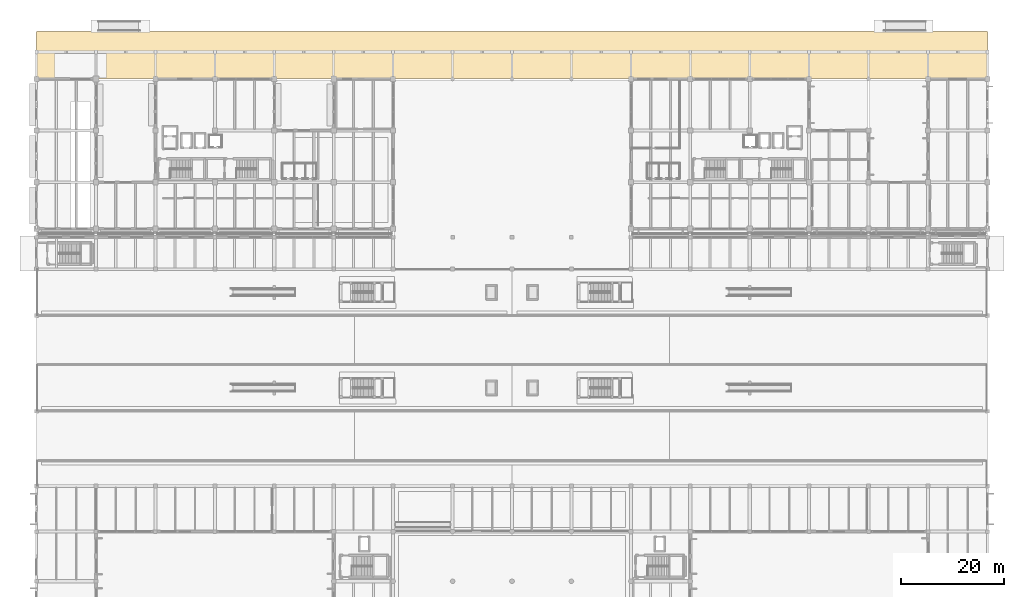
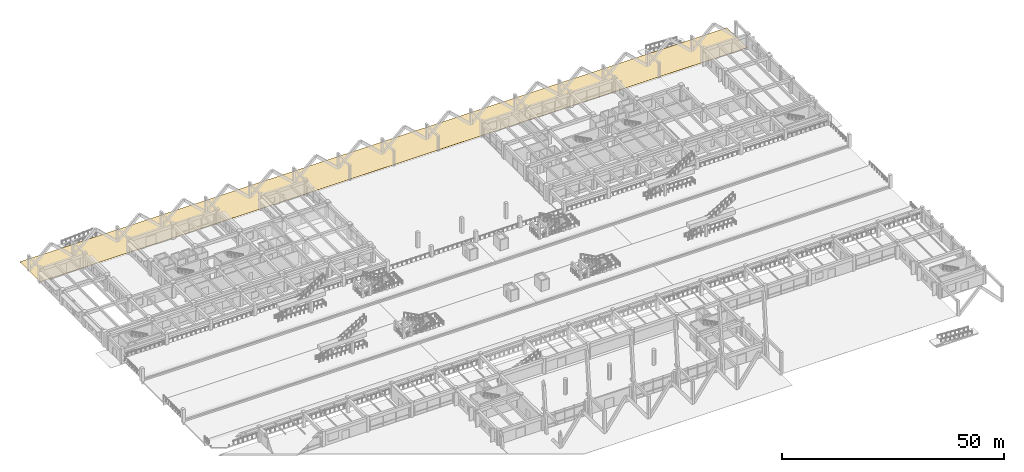
# One storey, part 105 of 109: 1 covering.
"""IFC4 building model written with IfcOpenShell, lengths in metres."""

from ifc_helpers import new_model, si_unit, direction, frame, origin, place, context, subcontext, project, spatial, polyline, outline, extrude, material, layer, layer_set, type_object, element, save


model = new_model("IFC4")

# Units and contexts
model_context = context("Model", 3, precision=1e-05, world=origin(), true_north=direction((0.0, 1.0)))
body_context = subcontext(model_context, "Body", "Model", "MODEL_VIEW")
ifc_project = project(units=[si_unit("LENGTHUNIT", "METRE"), si_unit("AREAUNIT", "SQUARE_METRE"), si_unit("VOLUMEUNIT", "CUBIC_METRE"), si_unit("PLANEANGLEUNIT", "RADIAN"), si_unit("MASSUNIT", "GRAM", prefix="KILO")], contexts=[model_context])

# Site, building, storey
site_placement = place(None, origin())
site = spatial("IfcSite", under=ifc_project, at=site_placement, CompositionType="ELEMENT")
building_placement = place(site_placement, origin())
building = spatial("IfcBuilding", under=site, at=building_placement, Name="Ologun Quay Terminus", CompositionType="ELEMENT")
storey_placement = place(building_placement, origin())
storey = spatial("IfcBuildingStorey", under=building, at=storey_placement, Name="L00", CompositionType="ELEMENT", Elevation=0.0)

# Covering
ifc_material = material(Name="Granite Stone", Category="masonry")
ifc_layer = layer(ifc_material, 0.06005859375)
ifc_layer_set = layer_set([ifc_layer], Name="Granite Stone")
covering_type = type_object("IfcCoveringType", Name="Quay & Forecourt Bush-Hammered Granite Paving 60", PredefinedType="USERDEFINED", material=ifc_layer_set)
covering_placement = place(storey_placement, frame((0.0, 0.0, -0.06005859375)))
element("IfcCovering", 1, at=covering_placement, inside=storey, type_object=covering_type, Name="CV-PVG Exterior Granite Paving HARB-PROM", ObjectType="PAVING", PredefinedType="USERDEFINED", context=body_context, shape_type="SweptSolid", body=[
    extrude(outline(polyline([(0.0, 114.89990234375), (184.0, 114.89990234375), (184.0, 124.0), (0.0, 124.0), (0.0, 114.89990234375)])), origin(), (0.0, 0.0, 1.0), 0.06005859375),
])

save(model, "model.ifc")
